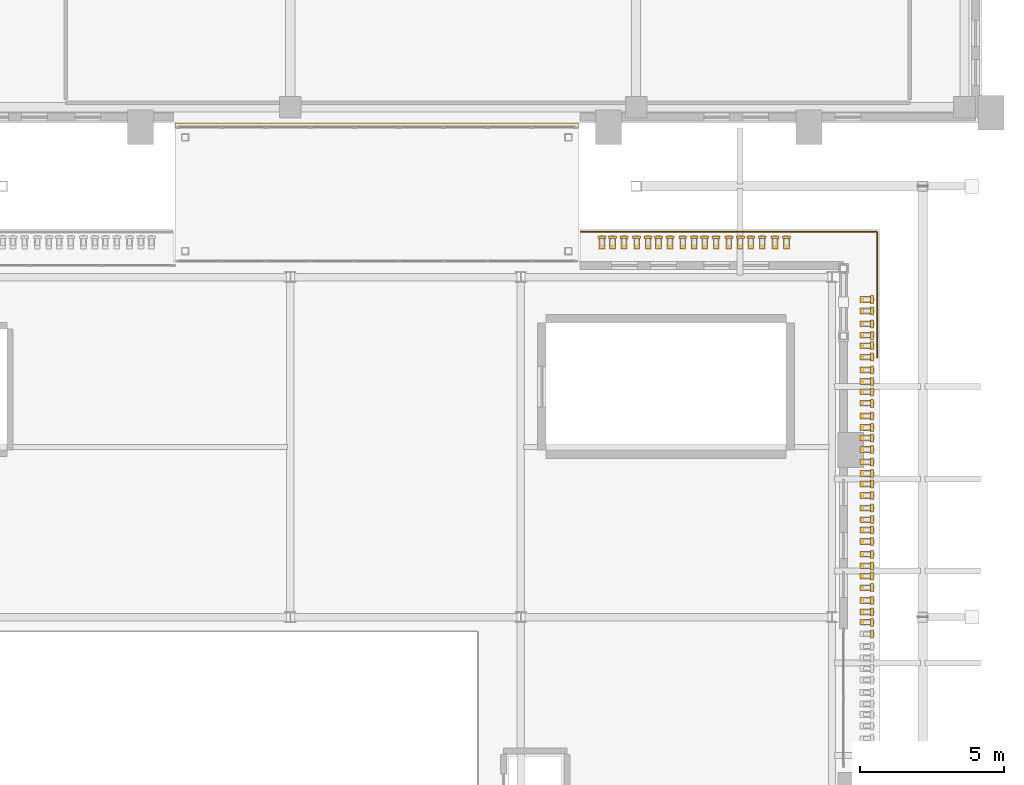
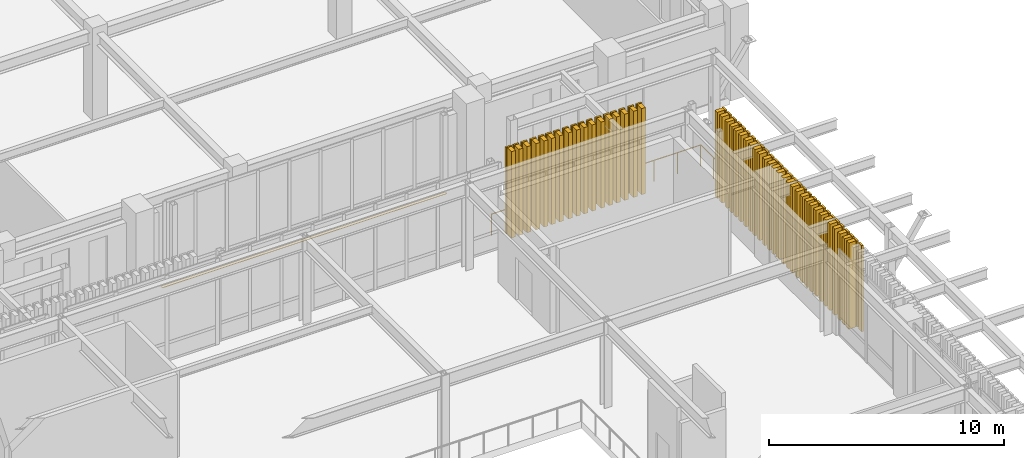
# One storey, part 124 of 126: 47 coverings, 47 shading devices, 1 railing.
"""IFC4 building model written with IfcOpenShell, lengths in metres."""

from ifc_helpers import new_model, si_unit, derived_unit, direction, frame, origin, origin_2d, place, context, subcontext, project, spatial, polyline, rectangle, circle, outline, extrude, material, layer, layer_set, material_profile, profile_set, type_object, element, save


model = new_model("IFC4")

# Units and contexts
model_context = context("Model", 3, precision=1e-05, world=origin(), true_north=direction((0.0, 1.0)))
body_context = subcontext(model_context, "Body", "Model", "MODEL_VIEW")
ifc_project = project(units=[si_unit("LENGTHUNIT", "METRE"), si_unit("AREAUNIT", "SQUARE_METRE"), si_unit("VOLUMEUNIT", "CUBIC_METRE"), si_unit("PLANEANGLEUNIT", "RADIAN"), si_unit("MASSUNIT", "GRAM", prefix="KILO"), derived_unit("THERMALTRANSMITTANCEUNIT", [(si_unit("MASSUNIT", "GRAM", prefix="KILO"), 1), (si_unit("TIMEUNIT", "SECOND"), -3), (si_unit("THERMODYNAMICTEMPERATUREUNIT", "KELVIN"), -1)])], contexts=[model_context])

# Site, building, storey
site_placement = place(None, origin())
site = spatial("IfcSite", under=ifc_project, at=site_placement, CompositionType="ELEMENT")
building_placement = place(site_placement, origin())
building = spatial("IfcBuilding", under=site, at=building_placement, Name="Valcora Ridge Arena", CompositionType="ELEMENT")
storey_placement = place(building_placement, frame((0.0, 0.0, 11.39990234375)))
storey = spatial("IfcBuildingStorey", under=building, at=storey_placement, Name="L02", CompositionType="ELEMENT", Elevation=11.39990234375)

# Coverings
ifc_material_1 = material(Name="Anodised terracotta-bronze aluminium lancet batten 6063-T6", Category="masonry")
ifc_layer_1 = layer(ifc_material_1, 0.199951171875, Name="Anodised terracotta-bronze aluminium lancet batten 6063-T6")
ifc_layer_set_1 = layer_set([ifc_layer_1], Name="Anodised terracotta-bronze aluminium lancet batten 6063-T6")
covering_type_1 = type_object("IfcCoveringType", Name="TY-COVERING-BAT-LANCET-448", PredefinedType="CLADDING", material=ifc_layer_set_1)
for number, where, z_axis, x_axis, name in (
    (1, (187.949951171875, 65.820068359375, 0.0), (0.0, 0.0, 1.0), (1.0, 0.0, 0.0), "BAT-LANCET-448 COV-BT-0304"),
    (2, (187.949951171875, 66.179931640625, 0.0), (0.0, 0.0, 1.0), (1.0, 0.0, 0.0), "BAT-LANCET-448 COV-BT-0306"),
    (3, (187.949951171875, 66.580078125, 0.0), (0.0, 0.0, 1.0), (1.0, 0.0, 0.0), "BAT-LANCET-448 COV-BT-0308"),
    (4, (187.949951171875, 67.02001953125, 0.0), (0.0, 0.0, 1.0), (1.0, 0.0, 0.0), "BAT-LANCET-448 COV-BT-0310"),
    (5, (187.949951171875, 67.419921875, 0.0), (0.0, 0.0, 1.0), (1.0, 0.0, 0.0), "BAT-LANCET-448 COV-BT-0312"),
    (6, (187.949951171875, 67.780029296875, 0.0), (0.0, 0.0, 1.0), (1.0, 0.0, 0.0), "BAT-LANCET-448 COV-BT-0314"),
    (7, (187.949951171875, 68.179931640625, 0.0), (0.0, 0.0, 1.0), (1.0, 0.0, 0.0), "BAT-LANCET-448 COV-BT-0316"),
    (8, (187.949951171875, 68.6201171875, 0.0), (0.0, 0.0, 1.0), (1.0, 0.0, 0.0), "BAT-LANCET-448 COV-BT-0318"),
    (9, (187.949951171875, 69.02001953125, 0.0), (0.0, 0.0, 1.0), (1.0, 0.0, 0.0), "BAT-LANCET-448 COV-BT-0320"),
    (10, (187.949951171875, 69.3798828125, 0.0), (0.0, 0.0, 1.0), (1.0, 0.0, 0.0), "BAT-LANCET-448 COV-BT-0322"),
    (11, (187.949951171875, 69.780029296875, 0.0), (0.0, 0.0, 1.0), (1.0, 0.0, 0.0), "BAT-LANCET-448 COV-BT-0324"),
    (12, (187.949951171875, 70.219970703125, 0.0), (0.0, 0.0, 1.0), (1.0, 0.0, 0.0), "BAT-LANCET-448 COV-BT-0326"),
    (13, (187.949951171875, 70.6201171875, 0.0), (0.0, 0.0, 1.0), (1.0, 0.0, 0.0), "BAT-LANCET-448 COV-BT-0328"),
    (14, (187.949951171875, 70.97998046875, 0.0), (0.0, 0.0, 1.0), (1.0, 0.0, 0.0), "BAT-LANCET-448 COV-BT-0330"),
    (15, (187.949951171875, 71.3798828125, 0.0), (0.0, 0.0, 1.0), (1.0, 0.0, 0.0), "BAT-LANCET-448 COV-BT-0332"),
    (16, (187.949951171875, 71.820068359375, 0.0), (0.0, 0.0, 1.0), (1.0, 0.0, 0.0), "BAT-LANCET-448 COV-BT-0334"),
    (17, (187.949951171875, 72.219970703125, 0.0), (0.0, 0.0, 1.0), (1.0, 0.0, 0.0), "BAT-LANCET-448 COV-BT-0336"),
    (18, (187.949951171875, 72.580078125, 0.0), (0.0, 0.0, 1.0), (1.0, 0.0, 0.0), "BAT-LANCET-448 COV-BT-0338"),
    (19, (187.949951171875, 72.97998046875, 0.0), (0.0, 0.0, 1.0), (1.0, 0.0, 0.0), "BAT-LANCET-448 COV-BT-0340"),
    (20, (187.949951171875, 73.419921875, 0.0), (0.0, 0.0, 1.0), (1.0, 0.0, 0.0), "BAT-LANCET-448 COV-BT-0342"),
    (21, (187.949951171875, 73.820068359375, 0.0), (0.0, 0.0, 1.0), (1.0, 0.0, 0.0), "BAT-LANCET-448 COV-BT-0344"),
    (22, (187.949951171875, 74.179931640625, 0.0), (0.0, 0.0, 1.0), (1.0, 0.0, 0.0), "BAT-LANCET-448 COV-BT-0346"),
    (23, (187.949951171875, 74.580078125, 0.0), (0.0, 0.0, 1.0), (1.0, 0.0, 0.0), "BAT-LANCET-448 COV-BT-0348"),
    (24, (187.949951171875, 75.02001953125, 0.0), (0.0, 0.0, 1.0), (1.0, 0.0, 0.0), "BAT-LANCET-448 COV-BT-0350"),
    (25, (187.949951171875, 75.419921875, 0.0), (0.0, 0.0, 1.0), (1.0, 0.0, 0.0), "BAT-LANCET-448 COV-BT-0352"),
    (26, (187.949951171875, 75.780029296875, 0.0), (0.0, 0.0, 1.0), (1.0, 0.0, 0.0), "BAT-LANCET-448 COV-BT-0354"),
    (27, (187.949951171875, 76.179931640625, 0.0), (0.0, 0.0, 1.0), (1.0, 0.0, 0.0), "BAT-LANCET-448 COV-BT-0356"),
    (28, (187.949951171875, 76.6201171875, 0.0), (0.0, 0.0, 1.0), (1.0, 0.0, 0.0), "BAT-LANCET-448 COV-BT-0358"),
    (29, (187.949951171875, 77.02001953125, 0.0), (0.0, 0.0, 1.0), (1.0, 0.0, 0.0), "BAT-LANCET-448 COV-BT-0360"),
):
    element("IfcCovering", number, at=place(storey_placement, frame(where, z_axis=z_axis, x_axis=x_axis)), inside=storey, type_object=covering_type_1, Name=name, PredefinedType="CLADDING", context=body_context, shape_type="SweptSolid", body=[
        extrude(rectangle(XDim=0.360107421875, YDim=0.199951171875, at=origin_2d()), origin(), (0.0, 0.0, 1.0), 4.47998046875),
    ])
for number, where, z_axis, x_axis, name in (
    (30, (178.820068359375, 78.949951171875, 0.0), (0.0, 0.0, 1.0), (1.0, 0.0, 0.0), "BAT-LANCET-448 COV-BT-0530"),
    (31, (179.179931640625, 78.949951171875, 0.0), (0.0, 0.0, 1.0), (1.0, 0.0, 0.0), "BAT-LANCET-448 COV-BT-0532"),
    (32, (179.580078125, 78.949951171875, 0.0), (0.0, 0.0, 1.0), (1.0, 0.0, 0.0), "BAT-LANCET-448 COV-BT-0534"),
    (33, (180.02001953125, 78.949951171875, 0.0), (0.0, 0.0, 1.0), (1.0, 0.0, 0.0), "BAT-LANCET-448 COV-BT-0536"),
    (34, (180.419921875, 78.949951171875, 0.0), (0.0, 0.0, 1.0), (1.0, 0.0, 0.0), "BAT-LANCET-448 COV-BT-0538"),
    (35, (180.780029296875, 78.949951171875, 0.0), (0.0, 0.0, 1.0), (1.0, 0.0, 0.0), "BAT-LANCET-448 COV-BT-0540"),
    (36, (181.179931640625, 78.949951171875, 0.0), (0.0, 0.0, 1.0), (1.0, 0.0, 0.0), "BAT-LANCET-448 COV-BT-0542"),
    (37, (181.6201171875, 78.949951171875, 0.0), (0.0, 0.0, 1.0), (1.0, 0.0, 0.0), "BAT-LANCET-448 COV-BT-0544"),
    (38, (182.02001953125, 78.949951171875, 0.0), (0.0, 0.0, 1.0), (1.0, 0.0, 0.0), "BAT-LANCET-448 COV-BT-0546"),
    (39, (182.3798828125, 78.949951171875, 0.0), (0.0, 0.0, 1.0), (1.0, 0.0, 0.0), "BAT-LANCET-448 COV-BT-0548"),
    (40, (182.780029296875, 78.949951171875, 0.0), (0.0, 0.0, 1.0), (1.0, 0.0, 0.0), "BAT-LANCET-448 COV-BT-0550"),
    (41, (183.219970703125, 78.949951171875, 0.0), (0.0, 0.0, 1.0), (1.0, 0.0, 0.0), "BAT-LANCET-448 COV-BT-0552"),
    (42, (183.6201171875, 78.949951171875, 0.0), (0.0, 0.0, 1.0), (1.0, 0.0, 0.0), "BAT-LANCET-448 COV-BT-0554"),
    (43, (183.97998046875, 78.949951171875, 0.0), (0.0, 0.0, 1.0), (1.0, 0.0, 0.0), "BAT-LANCET-448 COV-BT-0556"),
    (44, (184.3798828125, 78.949951171875, 0.0), (0.0, 0.0, 1.0), (1.0, 0.0, 0.0), "BAT-LANCET-448 COV-BT-0558"),
    (45, (184.820068359375, 78.949951171875, 0.0), (0.0, 0.0, 1.0), (1.0, 0.0, 0.0), "BAT-LANCET-448 COV-BT-0560"),
    (46, (185.219970703125, 78.949951171875, 0.0), (0.0, 0.0, 1.0), (1.0, 0.0, 0.0), "BAT-LANCET-448 COV-BT-0562"),
):
    element("IfcCovering", number, at=place(storey_placement, frame(where, z_axis=z_axis, x_axis=x_axis)), inside=storey, type_object=covering_type_1, Name=name, PredefinedType="CLADDING", context=body_context, shape_type="SweptSolid", body=[
        extrude(rectangle(XDim=0.199951171875, YDim=0.360107421875, at=origin_2d()), origin(), (0.0, 0.0, 1.0), 4.47998046875),
    ])
ifc_material_2 = material(Name="Steel ASTM A572 Grade 50", Category="steel")
ifc_layer_2 = layer(ifc_material_2, 0.02001953125, Name="Steel ASTM A572 Grade 50")
ifc_layer_set_2 = layer_set([ifc_layer_2], Name="Steel ASTM A572 Grade 50")
covering_type_2 = type_object("IfcCoveringType", Name="TY-COVERING-COV-SJ-150", PredefinedType="FLOORING", material=ifc_layer_set_2)
covering_placement = place(storey_placement, frame((0.0, 0.0, -0.02001953125)))
element("IfcCovering", 47, at=covering_placement, inside=storey, type_object=covering_type_2, Name="COV-SJ-150 COV-SJ-0025", PredefinedType="FLOORING", context=body_context, shape_type="SweptSolid", body=[
    extrude(outline(polyline([(164.0, 83.0), (178.0, 83.0), (178.0, 83.14990234375), (164.0, 83.14990234375), (164.0, 83.0)])), origin(), (0.0, 0.0, 1.0), 0.02001953125),
])

# Railing
ifc_material_3 = material(Name="Galvanized painted steel ASTM A500 Grade B", Category="steel")
railing_type = type_object("IfcRailingType", Name="TY-RAILING-GRD-VOID-1120", PredefinedType="GUARDRAIL", material=ifc_material_3)
railing_placement = place(storey_placement, frame((178.080078125, 79.3701171875, 0.0)))
element("IfcRailing", 48, at=railing_placement, inside=storey, type_object=railing_type, Name="GRD-VOID-1120 RAL-DK-0027", PredefinedType="GUARDRAIL", context=body_context, shape_type="SweptSolid", body=[
    extrude(circle(Radius=0.02392578125, at=origin_2d()), frame((0.0, 0.0, 1.09619140625), z_axis=(1.0, 0.0, 0.0), x_axis=(0.0, 1.0, 0.0)), (0.0, 0.0, 1.0), 10.2900390625),
    extrude(circle(Radius=0.02392578125, at=origin_2d()), frame((10.2900390625, 0.0, 1.09619140625), z_axis=(0.0, -1.0, 0.0), x_axis=(1.0, 0.0, 0.0)), (0.0, 0.0, 1.0), 4.3701171875),
    extrude(circle(Radius=0.02099609375, at=origin_2d()), origin(), (0.0, 0.0, 1.0), 1.072021484375),
    extrude(circle(Radius=0.02099609375, at=origin_2d()), frame((1.143310546875, 0.0, 0.0)), (0.0, 0.0, 1.0), 1.072021484375),
    extrude(circle(Radius=0.02099609375, at=origin_2d()), frame((2.28662109375, 0.0, 0.0)), (0.0, 0.0, 1.0), 1.072021484375),
    extrude(circle(Radius=0.02099609375, at=origin_2d()), frame((3.429931640625, 0.0, 0.0)), (0.0, 0.0, 1.0), 1.072021484375),
    extrude(circle(Radius=0.02099609375, at=origin_2d()), frame((4.5732421875, 0.0, 0.0)), (0.0, 0.0, 1.0), 1.072021484375),
    extrude(circle(Radius=0.02099609375, at=origin_2d()), frame((5.716796875, 0.0, 0.0)), (0.0, 0.0, 1.0), 1.072021484375),
    extrude(circle(Radius=0.02099609375, at=origin_2d()), frame((6.860107421875, 0.0, 0.0)), (0.0, 0.0, 1.0), 1.072021484375),
    extrude(circle(Radius=0.02099609375, at=origin_2d()), frame((8.00341796875, 0.0, 0.0)), (0.0, 0.0, 1.0), 1.072021484375),
    extrude(circle(Radius=0.02099609375, at=origin_2d()), frame((9.146728515625, 0.0, 0.0)), (0.0, 0.0, 1.0), 1.072021484375),
    extrude(circle(Radius=0.02099609375, at=origin_2d()), frame((10.2900390625, 0.0, 0.0)), (0.0, 0.0, 1.0), 1.072021484375),
    extrude(circle(Radius=0.02099609375, at=origin_2d()), frame((10.2900390625, -1.092529296875, 0.0)), (0.0, 0.0, 1.0), 1.072021484375),
    extrude(circle(Radius=0.02099609375, at=origin_2d()), frame((10.2900390625, -2.18505859375, 0.0)), (0.0, 0.0, 1.0), 1.072021484375),
    extrude(circle(Radius=0.02099609375, at=origin_2d()), frame((10.2900390625, -3.277587890625, 0.0)), (0.0, 0.0, 1.0), 1.072021484375),
    extrude(circle(Radius=0.02099609375, at=origin_2d()), frame((10.2900390625, -4.3701171875, 0.0)), (0.0, 0.0, 1.0), 1.072021484375),
])

# Shading devices
ifc_material_profile = material_profile(ifc_material_1, rectangle(XDim=0.090087890625, YDim=0.27587890625, at=origin_2d()), Name="ALU LANCET BATTEN 90x276")
ifc_profile_set = profile_set([ifc_material_profile], Name="Anodised terracotta-bronze aluminium lancet batten 6063-T6")
shading_device_type = type_object("IfcShadingDeviceType", Name="TY-SHADINGDEVICE-FIN-LANCET-448", PredefinedType="JALOUSIE", material=ifc_profile_set)
for number, where, z_axis, x_axis, name in (
    (49, (188.18994140625, 65.419921875, 0.0), (0.0, 0.0, 1.0), (1.0, 0.0, 0.0), "FIN-LANCET-448 SHD-FN-0302"),
    (50, (188.18994140625, 65.820068359375, 0.0), (0.0, 0.0, 1.0), (1.0, 0.0, 0.0), "FIN-LANCET-448 SHD-FN-0304"),
    (51, (188.18994140625, 66.179931640625, 0.0), (0.0, 0.0, 1.0), (1.0, 0.0, 0.0), "FIN-LANCET-448 SHD-FN-0306"),
    (52, (188.18994140625, 66.580078125, 0.0), (0.0, 0.0, 1.0), (1.0, 0.0, 0.0), "FIN-LANCET-448 SHD-FN-0308"),
    (53, (188.18994140625, 67.02001953125, 0.0), (0.0, 0.0, 1.0), (1.0, 0.0, 0.0), "FIN-LANCET-448 SHD-FN-0310"),
    (54, (188.18994140625, 67.419921875, 0.0), (0.0, 0.0, 1.0), (1.0, 0.0, 0.0), "FIN-LANCET-448 SHD-FN-0312"),
    (55, (188.18994140625, 67.780029296875, 0.0), (0.0, 0.0, 1.0), (1.0, 0.0, 0.0), "FIN-LANCET-448 SHD-FN-0314"),
    (56, (188.18994140625, 68.179931640625, 0.0), (0.0, 0.0, 1.0), (1.0, 0.0, 0.0), "FIN-LANCET-448 SHD-FN-0316"),
    (57, (188.18994140625, 68.6201171875, 0.0), (0.0, 0.0, 1.0), (1.0, 0.0, 0.0), "FIN-LANCET-448 SHD-FN-0318"),
    (58, (188.18994140625, 69.02001953125, 0.0), (0.0, 0.0, 1.0), (1.0, 0.0, 0.0), "FIN-LANCET-448 SHD-FN-0320"),
    (59, (188.18994140625, 69.3798828125, 0.0), (0.0, 0.0, 1.0), (1.0, 0.0, 0.0), "FIN-LANCET-448 SHD-FN-0322"),
    (60, (188.18994140625, 69.780029296875, 0.0), (0.0, 0.0, 1.0), (1.0, 0.0, 0.0), "FIN-LANCET-448 SHD-FN-0324"),
    (61, (188.18994140625, 70.219970703125, 0.0), (0.0, 0.0, 1.0), (1.0, 0.0, 0.0), "FIN-LANCET-448 SHD-FN-0326"),
    (62, (188.18994140625, 70.6201171875, 0.0), (0.0, 0.0, 1.0), (1.0, 0.0, 0.0), "FIN-LANCET-448 SHD-FN-0328"),
    (63, (188.18994140625, 70.97998046875, 0.0), (0.0, 0.0, 1.0), (1.0, 0.0, 0.0), "FIN-LANCET-448 SHD-FN-0330"),
    (64, (188.18994140625, 71.3798828125, 0.0), (0.0, 0.0, 1.0), (1.0, 0.0, 0.0), "FIN-LANCET-448 SHD-FN-0332"),
    (65, (188.18994140625, 71.820068359375, 0.0), (0.0, 0.0, 1.0), (1.0, 0.0, 0.0), "FIN-LANCET-448 SHD-FN-0334"),
    (66, (188.18994140625, 72.219970703125, 0.0), (0.0, 0.0, 1.0), (1.0, 0.0, 0.0), "FIN-LANCET-448 SHD-FN-0336"),
    (67, (188.18994140625, 72.580078125, 0.0), (0.0, 0.0, 1.0), (1.0, 0.0, 0.0), "FIN-LANCET-448 SHD-FN-0338"),
    (68, (188.18994140625, 72.97998046875, 0.0), (0.0, 0.0, 1.0), (1.0, 0.0, 0.0), "FIN-LANCET-448 SHD-FN-0340"),
    (69, (188.18994140625, 73.419921875, 0.0), (0.0, 0.0, 1.0), (1.0, 0.0, 0.0), "FIN-LANCET-448 SHD-FN-0342"),
    (70, (188.18994140625, 73.820068359375, 0.0), (0.0, 0.0, 1.0), (1.0, 0.0, 0.0), "FIN-LANCET-448 SHD-FN-0344"),
    (71, (188.18994140625, 74.179931640625, 0.0), (0.0, 0.0, 1.0), (1.0, 0.0, 0.0), "FIN-LANCET-448 SHD-FN-0346"),
    (72, (188.18994140625, 74.580078125, 0.0), (0.0, 0.0, 1.0), (1.0, 0.0, 0.0), "FIN-LANCET-448 SHD-FN-0348"),
    (73, (188.18994140625, 75.02001953125, 0.0), (0.0, 0.0, 1.0), (1.0, 0.0, 0.0), "FIN-LANCET-448 SHD-FN-0350"),
    (74, (188.18994140625, 75.419921875, 0.0), (0.0, 0.0, 1.0), (1.0, 0.0, 0.0), "FIN-LANCET-448 SHD-FN-0352"),
    (75, (188.18994140625, 75.780029296875, 0.0), (0.0, 0.0, 1.0), (1.0, 0.0, 0.0), "FIN-LANCET-448 SHD-FN-0354"),
    (76, (188.18994140625, 76.179931640625, 0.0), (0.0, 0.0, 1.0), (1.0, 0.0, 0.0), "FIN-LANCET-448 SHD-FN-0356"),
    (77, (188.18994140625, 76.6201171875, 0.0), (0.0, 0.0, 1.0), (1.0, 0.0, 0.0), "FIN-LANCET-448 SHD-FN-0358"),
    (78, (188.18994140625, 77.02001953125, 0.0), (0.0, 0.0, 1.0), (1.0, 0.0, 0.0), "FIN-LANCET-448 SHD-FN-0360"),
    (79, (178.820068359375, 79.18994140625, 0.0), (0.0, 0.0, 1.0), (0.0, 1.0, 0.0), "FIN-LANCET-448 SHD-FN-0530"),
    (80, (179.179931640625, 79.18994140625, 0.0), (0.0, 0.0, 1.0), (0.0, 1.0, 0.0), "FIN-LANCET-448 SHD-FN-0532"),
    (81, (179.580078125, 79.18994140625, 0.0), (0.0, 0.0, 1.0), (0.0, 1.0, 0.0), "FIN-LANCET-448 SHD-FN-0534"),
    (82, (180.02001953125, 79.18994140625, 0.0), (0.0, 0.0, 1.0), (0.0, 1.0, 0.0), "FIN-LANCET-448 SHD-FN-0536"),
    (83, (180.419921875, 79.18994140625, 0.0), (0.0, 0.0, 1.0), (0.0, 1.0, 0.0), "FIN-LANCET-448 SHD-FN-0538"),
    (84, (180.780029296875, 79.18994140625, 0.0), (0.0, 0.0, 1.0), (0.0, 1.0, 0.0), "FIN-LANCET-448 SHD-FN-0540"),
    (85, (181.179931640625, 79.18994140625, 0.0), (0.0, 0.0, 1.0), (0.0, 1.0, 0.0), "FIN-LANCET-448 SHD-FN-0542"),
    (86, (181.6201171875, 79.18994140625, 0.0), (0.0, 0.0, 1.0), (0.0, 1.0, 0.0), "FIN-LANCET-448 SHD-FN-0544"),
    (87, (182.02001953125, 79.18994140625, 0.0), (0.0, 0.0, 1.0), (0.0, 1.0, 0.0), "FIN-LANCET-448 SHD-FN-0546"),
    (88, (182.3798828125, 79.18994140625, 0.0), (0.0, 0.0, 1.0), (0.0, 1.0, 0.0), "FIN-LANCET-448 SHD-FN-0548"),
    (89, (182.780029296875, 79.18994140625, 0.0), (0.0, 0.0, 1.0), (0.0, 1.0, 0.0), "FIN-LANCET-448 SHD-FN-0550"),
    (90, (183.219970703125, 79.18994140625, 0.0), (0.0, 0.0, 1.0), (0.0, 1.0, 0.0), "FIN-LANCET-448 SHD-FN-0552"),
    (91, (183.6201171875, 79.18994140625, 0.0), (0.0, 0.0, 1.0), (0.0, 1.0, 0.0), "FIN-LANCET-448 SHD-FN-0554"),
    (92, (183.97998046875, 79.18994140625, 0.0), (0.0, 0.0, 1.0), (0.0, 1.0, 0.0), "FIN-LANCET-448 SHD-FN-0556"),
    (93, (184.3798828125, 79.18994140625, 0.0), (0.0, 0.0, 1.0), (0.0, 1.0, 0.0), "FIN-LANCET-448 SHD-FN-0558"),
    (94, (184.820068359375, 79.18994140625, 0.0), (0.0, 0.0, 1.0), (0.0, 1.0, 0.0), "FIN-LANCET-448 SHD-FN-0560"),
    (95, (185.219970703125, 79.18994140625, 0.0), (0.0, 0.0, 1.0), (0.0, 1.0, 0.0), "FIN-LANCET-448 SHD-FN-0562"),
):
    element("IfcShadingDevice", number, at=place(storey_placement, frame(where, z_axis=z_axis, x_axis=x_axis)), inside=storey, type_object=shading_device_type, Name=name, PredefinedType="JALOUSIE", context=body_context, shape_type="SweptSolid", body=[
        extrude(rectangle(XDim=0.090087890625, YDim=0.27587890625, at=origin_2d()), origin(), (0.0, 0.0, 1.0), 4.47998046875),
    ])

save(model, "model.ifc")
